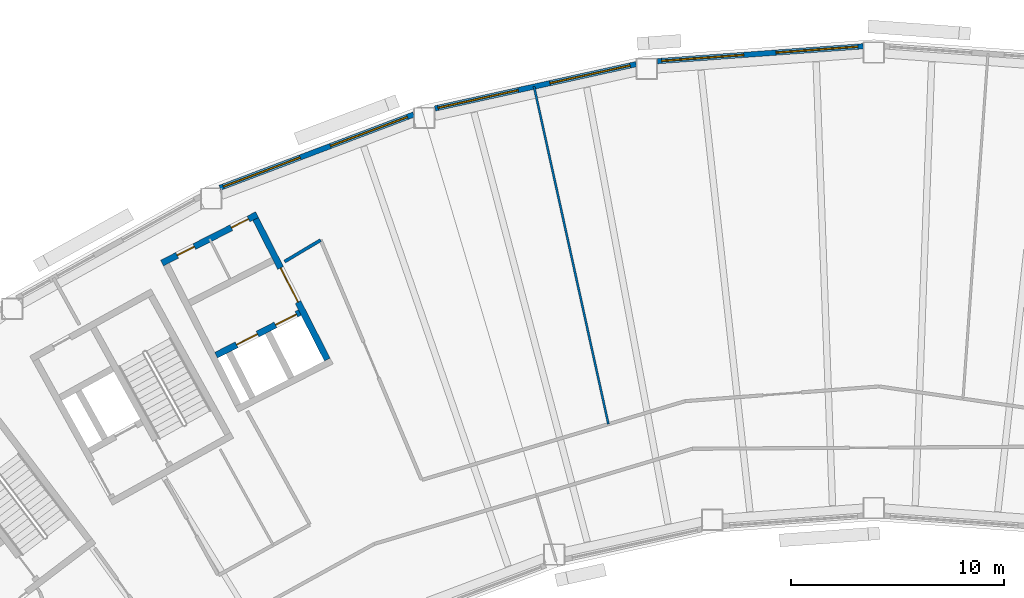
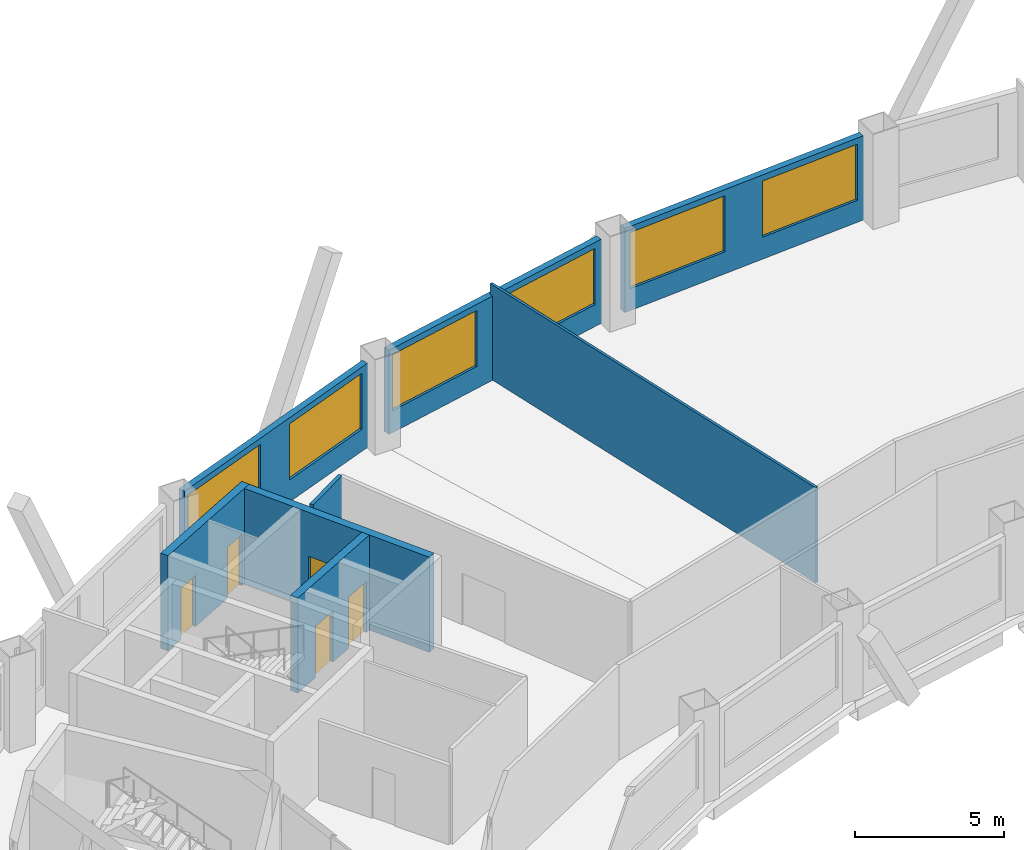
# One storey, part 5 of 11: 8 walls, 6 windows, 5 doors, 11 openings.
"""IFC4 building model written with IfcOpenShell, lengths in metres."""

import ifcopenshell
import ifcopenshell.guid

model = None  # the IFC model being written
_history = None  # IfcOwnerHistory: only IFC2X3 demands one
_inside = {}  # id of a spatial element -> (the spatial element, [elements in it])
_under = {}  # id of a project, library or spatial element -> (it, [spatial elements below it])
_declared = {}  # id of a project -> (the project, [libraries it declares])
_typed = {}  # id of a type object -> (the type object, [elements of that type])
_made_of = {}  # id of a material, layer set ... -> (it, [elements and type objects made of it])


def new_model(schema):
    """Start an empty IFC model of exactly this schema.

    Asked for "IFC4X3", IfcOpenShell would pick the latest addendum, in which some entities
    have other attributes; the version numbers below select the first issue.
    IFC2X3 requires an IfcOwnerHistory on every rooted entity: one is made here for all.
    """
    global model, _history
    if schema == "IFC4X3":
        model = ifcopenshell.file(schema_version=(4, 3, 0, 0))
    else:
        model = ifcopenshell.file(schema=schema)
    _inside.clear()
    _under.clear()
    _declared.clear()
    _typed.clear()
    _made_of.clear()
    _history = None
    if model.schema == "IFC2X3":
        org = make("IfcOrganization", Name="unknown")
        user = make(
            "IfcPersonAndOrganization",
            ThePerson=make("IfcPerson", FamilyName="unknown"),
            TheOrganization=org,
        )
        app = make(
            "IfcApplication",
            ApplicationDeveloper=org,
            Version="unknown",
            ApplicationFullName="unknown",
            ApplicationIdentifier="unknown",
        )
        _history = make(
            "IfcOwnerHistory",
            OwningUser=user,
            OwningApplication=app,
            ChangeAction="ADDED",
            CreationDate=0,
        )
    return model


def make(cls, **values):
    """One entity of the class cls with the attributes given. An attribute that is None is left unset."""
    return model.create_entity(
        cls, **{name: value for name, value in values.items() if value is not None}
    )


def rooted(cls, **values):
    """An entity with a GlobalId (a new one), such as an element, a storey or a relation."""
    return make(cls, GlobalId=ifcopenshell.guid.new(), OwnerHistory=_history, **values)


def si_unit(unit_type, name, prefix=None):
    """IfcSIUnit, for example si_unit("LENGTHUNIT", "METRE", prefix="MILLI")."""
    return make("IfcSIUnit", UnitType=unit_type, Prefix=prefix, Name=name)


def assignment(units):
    """IfcUnitAssignment: the units of a project."""
    return None if units is None else make("IfcUnitAssignment", Units=units)


def point(xyz):
    """IfcCartesianPoint."""
    return None if xyz is None else make("IfcCartesianPoint", Coordinates=xyz)


def direction(xyz):
    """IfcDirection."""
    return None if xyz is None else make("IfcDirection", DirectionRatios=xyz)


def frame(location, z_axis=None, x_axis=None):
    """IfcAxis2Placement3D, a coordinate frame: its origin and axes. An axis left out is left unset."""
    return make(
        "IfcAxis2Placement3D",
        Location=point(location),
        Axis=direction(z_axis),
        RefDirection=direction(x_axis),
    )


def frame_2d(location, x_axis=None):
    """IfcAxis2Placement2D, a coordinate frame in the plane: its origin and x axis."""
    return make(
        "IfcAxis2Placement2D", Location=point(location), RefDirection=direction(x_axis)
    )


def origin():
    """The frame at (0, 0, 0) with its axes left unset."""
    return frame((0.0, 0.0, 0.0))


def place(relative_to, where):
    """IfcLocalPlacement: puts the frame where relative to a parent placement (None: the world)."""
    return make(
        "IfcLocalPlacement", PlacementRelTo=relative_to, RelativePlacement=where
    )


def context(
    kind, dimensions, precision=None, world=None, true_north=None, identifier=None
):
    """IfcGeometricRepresentationContext, for example the 3D "Model" context."""
    return make(
        "IfcGeometricRepresentationContext",
        ContextIdentifier=identifier,
        ContextType=kind,
        CoordinateSpaceDimension=dimensions,
        Precision=precision,
        WorldCoordinateSystem=world,
        TrueNorth=true_north,
    )


def subcontext(parent, identifier, kind, view, scale=None):
    """IfcGeometricRepresentationSubContext, for example "Body" below "Model"."""
    return make(
        "IfcGeometricRepresentationSubContext",
        ContextIdentifier=identifier,
        ContextType=kind,
        ParentContext=parent,
        TargetScale=scale,
        TargetView=view,
    )


def project(units=None, contexts=None):
    """IfcProject with its units and contexts."""
    return rooted(
        "IfcProject",
        Name="project",
        RepresentationContexts=contexts,
        UnitsInContext=assignment(units),
    )


def spatial(cls, under=None, at=None, **own):
    """A site, building, storey or space (cls), placed at a placement, below another one or the project."""
    s = rooted(cls, ObjectPlacement=at, **own)
    if under is not None:
        _under.setdefault(under.id(), (under, []))[1].append(s)
    return s


def profile(cls, at=None, kind="AREA", **sizes):
    """A parametric profile (cls). Its sizes go by their IFC names, for example OverallWidth=200.0."""
    return make(cls, ProfileType=kind, Position=at, **sizes)


def rectangle(**sizes):
    """IfcRectangleProfileDef."""
    return profile("IfcRectangleProfileDef", **sizes)


def extrude(swept, where, along, depth):
    """IfcExtrudedAreaSolid: the profile swept, set in the frame where, extruded along a direction by depth."""
    return make(
        "IfcExtrudedAreaSolid",
        SweptArea=swept,
        Position=where,
        ExtrudedDirection=direction(along),
        Depth=depth,
    )


def shape(context_of_items, identifier, shape_type, items):
    """IfcShapeRepresentation: the items that make up one representation, for example the "Body"."""
    return make(
        "IfcShapeRepresentation",
        ContextOfItems=context_of_items,
        RepresentationIdentifier=identifier,
        RepresentationType=shape_type,
        Items=items,
    )


def material(Name=None, Category=None):
    """IfcMaterial."""
    return make("IfcMaterial", Name=Name, Category=Category)


def layer(
    of_material, thickness, ventilated=None, Name=None, Category=None, Priority=None
):
    """IfcMaterialLayer: one layer of a wall or slab, of a material (None: an air gap)."""
    return make(
        "IfcMaterialLayer",
        Material=of_material,
        LayerThickness=thickness,
        IsVentilated=ventilated,
        Name=Name,
        Category=Category,
        Priority=Priority,
    )


def layer_set(layers, Name=None):
    """IfcMaterialLayerSet."""
    return make("IfcMaterialLayerSet", MaterialLayers=layers, LayerSetName=Name)


def made_of(thing, what):
    """Note that an element or type object is made of a material, layer set ...; save() writes the relation."""
    if what is not None:
        _made_of.setdefault(what.id(), (what, []))[1].append(thing)
    return thing


def type_object(cls, material=None, **own):
    """A type object (cls), such as IfcWallType, which elements share."""
    return made_of(rooted(cls, **own), material)


def element(
    cls,
    number,
    at=None,
    inside=None,
    cuts=None,
    type_object=None,
    material=None,
    context=None,
    identifier="Body",
    shape_type=None,
    held_by="IfcProductDefinitionShape",
    body=None,
    shapes=None,
    **own,
):
    """One element of the class cls, such as IfcWall. Its Tag is "e" and its number.

    at: its placement. inside: the storey or other place that contains it. cuts: it is an
    opening in that element (IfcRelVoidsElement). A single representation is given by context,
    identifier, shape_type and body (its items); several are given by shapes. held_by: the class
    of the entity that holds the representations. save() writes the other relations.
    """
    e = rooted(cls, Tag="e%d" % number, ObjectPlacement=at, **own)
    if body is not None:
        shapes = [shape(context, identifier, shape_type, body)]
    if shapes is not None:
        e.Representation = make(held_by, Representations=shapes)
    if inside is not None:
        _inside.setdefault(inside.id(), (inside, []))[1].append(e)
    if cuts is not None:
        rooted(
            "IfcRelVoidsElement", RelatingBuildingElement=cuts, RelatedOpeningElement=e
        )
    if type_object is not None:
        _typed.setdefault(type_object.id(), (type_object, []))[1].append(e)
    return made_of(e, material)


def fill(opening, filler):
    """IfcRelFillsElement: the door or window that sits in an opening."""
    return rooted(
        "IfcRelFillsElement",
        RelatingOpeningElement=opening,
        RelatedBuildingElement=filler,
    )


def aggregate(whole, parts):
    """IfcRelAggregates: a whole, such as a stair, and the parts it consists of."""
    return rooted("IfcRelAggregates", RelatingObject=whole, RelatedObjects=parts)


def save(model, path):
    """Write the relations noted so far, then the file.

    IfcRelAggregates (storeys below a building ...), IfcRelContainedInSpatialStructure (elements
    in a storey), IfcRelDefinesByType, IfcRelAssociatesMaterial and IfcRelDeclares: one each for
    every whole, place, type object, material and project.
    """
    for whole, parts in _under.values():
        aggregate(whole, parts)
    for where, things in _inside.values():
        rooted(
            "IfcRelContainedInSpatialStructure",
            RelatedElements=things,
            RelatingStructure=where,
        )
    for kind, things in _typed.values():
        rooted("IfcRelDefinesByType", RelatedObjects=things, RelatingType=kind)
    for what, things in _made_of.values():
        rooted("IfcRelAssociatesMaterial", RelatedObjects=things, RelatingMaterial=what)
    for by, libraries in _declared.values():
        rooted("IfcRelDeclares", RelatingContext=by, RelatedDefinitions=libraries)
    model.write(path)


model = new_model("IFC4")

# Units and contexts
model_context = context("Model", 3, precision=1e-05, world=origin(), true_north=direction((0.0, 1.0)))
body_context = subcontext(model_context, "Body", "Model", "MODEL_VIEW")
ifc_project = project(units=[si_unit("LENGTHUNIT", "METRE"), si_unit("AREAUNIT", "SQUARE_METRE"), si_unit("VOLUMEUNIT", "CUBIC_METRE"), si_unit("PLANEANGLEUNIT", "RADIAN"), si_unit("MASSUNIT", "GRAM", prefix="KILO")], contexts=[model_context])

# Site, building, storey
site_placement = place(None, origin())
site = spatial("IfcSite", under=ifc_project, at=site_placement, CompositionType="ELEMENT")
building_placement = place(site_placement, origin())
building = spatial("IfcBuilding", under=site, at=building_placement, Name="Tuul Gate Civic Tower", CompositionType="ELEMENT")
storey_placement = place(building_placement, frame((0.0, 0.0, 146.60009765625)))
storey = spatial("IfcBuildingStorey", under=building, at=storey_placement, Name="Level 33", CompositionType="ELEMENT", Elevation=146.60009765625)

# Wall
ifc_material_1 = material(Name="Gypsum board partition")
ifc_layer_1 = layer(ifc_material_1, 0.14990234375)
ifc_layer_set_1 = layer_set([ifc_layer_1], Name="Gypsum board partition")
wall_type_1 = type_object("IfcWallType", Name="Corridor wall P150", PredefinedType="PARTITIONING", material=ifc_layer_set_1)
wall_1_placement = place(storey_placement, frame((-22.254638671875, -0.5732421875, 0.0), z_axis=(0.0, 0.0, 1.0), x_axis=(0.859073729724, 0.511851860306, 0.0)))
element("IfcWall", 1, at=wall_1_placement, inside=storey, type_object=wall_type_1, Name="p023", PredefinedType="PARTITIONING", context=body_context, shape_type="SweptSolid", body=[
    extrude(rectangle(XDim=1.970947265625, YDim=0.14990234375, at=frame_2d((0.9853515625, 0.0))), origin(), (0.0, 0.0, 1.0), 3.89990234375),
])

# Wall, openings, windows
ifc_material_2 = material(Name="Precast concrete C40/50", Category="concrete")
ifc_layer_2 = layer(ifc_material_2, 0.25)
ifc_layer_set_2 = layer_set([ifc_layer_2], Name="Precast concrete C40/50")
wall_type_2 = type_object("IfcWallType", Name="External wall", PredefinedType="STANDARD", material=ifc_layer_set_2)
wall_2_placement = place(storey_placement, frame((4.8740234375, 9.521484375, 0.0), z_axis=(0.0, 0.0, 1.0), x_axis=(-0.997386456692, -0.07225133914, 0.0)))
wall_2 = element("IfcWall", 2, at=wall_2_placement, inside=storey, type_object=wall_type_2, Name="External wall", PredefinedType="STANDARD", context=body_context, shape_type="SweptSolid", body=[
    extrude(rectangle(XDim=9.67431640625, YDim=0.25, at=frame_2d((4.837158203125, 0.0))), origin(), (0.0, 0.0, 1.0), 3.449951171875),
])
opening_1_placement = place(wall_2_placement, frame((0.250244140625, 0.0, 0.89990234375)))
opening_1 = element("IfcOpeningElement", 3, at=opening_1_placement, cuts=wall_2, Name="Opening W22", PredefinedType="OPENING", context=body_context, shape_type="SweptSolid", body=[
    extrude(rectangle(XDim=3.85009765625, YDim=2.300048828125, at=frame_2d((1.925048828125, 1.14990234375))), frame((0.0, 0.135009765625, 0.0), z_axis=(0.0, -1.0, 0.0), x_axis=(1.0, 0.0, 0.0)), (0.0, 0.0, 1.0), 0.27001953125),
])
opening_2_placement = place(wall_2_placement, frame((5.62109375, 0.0, 0.89990234375)))
opening_2 = element("IfcOpeningElement", 4, at=opening_2_placement, cuts=wall_2, Name="Opening W22", PredefinedType="OPENING", context=body_context, shape_type="SweptSolid", body=[
    extrude(rectangle(XDim=3.85009765625, YDim=2.300048828125, at=frame_2d((1.925048828125, 1.14990234375))), frame((0.0, 0.135009765625, 0.0), z_axis=(0.0, -1.0, 0.0), x_axis=(1.0, 0.0, 0.0)), (0.0, 0.0, 1.0), 0.27001953125),
])
ifc_material_3 = material(Name="Glass", Category="glass")
window_type = type_object("IfcWindowType", Name="Window W22 3850 x 2300", PartitioningType="SINGLE_PANEL", PredefinedType="WINDOW", material=ifc_material_3)
window_1_placement = place(opening_1_placement, origin())
window_1 = element("IfcWindow", 5, at=window_1_placement, inside=storey, type_object=window_type, Name="Window", OverallHeight=2.300048828125, OverallWidth=3.85009765625, PartitioningType="SINGLE_PANEL", PredefinedType="WINDOW", context=body_context, shape_type="SweptSolid", body=[
    extrude(rectangle(XDim=3.85009765625, YDim=2.300048828125, at=frame_2d((1.925048828125, 1.14990234375))), frame((0.0, 0.030029296875, 0.0), z_axis=(0.0, -1.0, 0.0), x_axis=(1.0, 0.0, 0.0)), (0.0, 0.0, 1.0), 0.06005859375),
])
fill(opening_1, window_1)
window_2_placement = place(opening_2_placement, origin())
window_2 = element("IfcWindow", 6, at=window_2_placement, inside=storey, type_object=window_type, Name="Window", OverallHeight=2.300048828125, OverallWidth=3.85009765625, PartitioningType="SINGLE_PANEL", PredefinedType="WINDOW", context=body_context, shape_type="SweptSolid", body=[
    extrude(rectangle(XDim=3.85009765625, YDim=2.300048828125, at=frame_2d((1.925048828125, 1.14990234375))), frame((0.0, 0.030029296875, 0.0), z_axis=(0.0, -1.0, 0.0), x_axis=(1.0, 0.0, 0.0)), (0.0, 0.0, 1.0), 0.06005859375),
])
fill(opening_2, window_2)

wall_3_placement = place(storey_placement, frame((-5.77490234375, 8.68310546875, 0.0), z_axis=(0.0, 0.0, 1.0), x_axis=(-0.976568733391, -0.215205736364, 0.0)))
wall_3 = element("IfcWall", 7, at=wall_3_placement, inside=storey, type_object=wall_type_2, Name="External wall", PredefinedType="STANDARD", context=body_context, shape_type="SweptSolid", body=[
    extrude(rectangle(XDim=9.654296875, YDim=0.25, at=frame_2d((4.8271484375, 0.0))), origin(), (0.0, 0.0, 1.0), 3.449951171875),
])
opening_3_placement = place(wall_3_placement, frame((0.28759765625, 0.0, 0.89990234375)))
opening_3 = element("IfcOpeningElement", 8, at=opening_3_placement, cuts=wall_3, Name="Opening W22", PredefinedType="OPENING", context=body_context, shape_type="SweptSolid", body=[
    extrude(rectangle(XDim=3.85009765625, YDim=2.300048828125, at=frame_2d((1.925048828125, 1.14990234375))), frame((0.0, 0.135009765625, 0.0), z_axis=(0.0, -1.0, 0.0), x_axis=(1.0, 0.0, 0.0)), (0.0, 0.0, 1.0), 0.27001953125),
])
opening_4_placement = place(wall_3_placement, frame((5.6591796875, 0.0, 0.89990234375)))
opening_4 = element("IfcOpeningElement", 9, at=opening_4_placement, cuts=wall_3, Name="Opening W22", PredefinedType="OPENING", context=body_context, shape_type="SweptSolid", body=[
    extrude(rectangle(XDim=3.85009765625, YDim=2.300048828125, at=frame_2d((1.925048828125, 1.14990234375))), frame((0.0, 0.135009765625, 0.0), z_axis=(0.0, -1.0, 0.0), x_axis=(1.0, 0.0, 0.0)), (0.0, 0.0, 1.0), 0.27001953125),
])
window_3_placement = place(opening_3_placement, origin())
window_3 = element("IfcWindow", 10, at=window_3_placement, inside=storey, type_object=window_type, Name="Window", OverallHeight=2.300048828125, OverallWidth=3.85009765625, PartitioningType="SINGLE_PANEL", PredefinedType="WINDOW", context=body_context, shape_type="SweptSolid", body=[
    extrude(rectangle(XDim=3.85009765625, YDim=2.300048828125, at=frame_2d((1.925048828125, 1.14990234375))), frame((0.0, 0.030029296875, 0.0), z_axis=(0.0, -1.0, 0.0), x_axis=(1.0, 0.0, 0.0)), (0.0, 0.0, 1.0), 0.06005859375),
])
fill(opening_3, window_3)
window_4_placement = place(opening_4_placement, origin())
window_4 = element("IfcWindow", 11, at=window_4_placement, inside=storey, type_object=window_type, Name="Window", OverallHeight=2.300048828125, OverallWidth=3.85009765625, PartitioningType="SINGLE_PANEL", PredefinedType="WINDOW", context=body_context, shape_type="SweptSolid", body=[
    extrude(rectangle(XDim=3.85009765625, YDim=2.300048828125, at=frame_2d((1.925048828125, 1.14990234375))), frame((0.0, 0.030029296875, 0.0), z_axis=(0.0, -1.0, 0.0), x_axis=(1.0, 0.0, 0.0)), (0.0, 0.0, 1.0), 0.06005859375),
])
fill(opening_4, window_4)

wall_4_placement = place(storey_placement, frame((-16.202880859375, 6.320556640625, 0.0), z_axis=(0.0, 0.0, 1.0), x_axis=(-0.935351451724, -0.353719750307, 0.0)))
wall_4 = element("IfcWall", 12, at=wall_4_placement, inside=storey, type_object=wall_type_2, Name="External wall", PredefinedType="STANDARD", context=body_context, shape_type="SweptSolid", body=[
    extrude(rectangle(XDim=9.712646484375, YDim=0.25, at=frame_2d((4.8564453125, 0.0))), origin(), (0.0, 0.0, 1.0), 3.449951171875),
])
opening_5_placement = place(wall_4_placement, frame((0.315673828125, 0.0, 0.89990234375)))
opening_5 = element("IfcOpeningElement", 13, at=opening_5_placement, cuts=wall_4, Name="Opening W22", PredefinedType="OPENING", context=body_context, shape_type="SweptSolid", body=[
    extrude(rectangle(XDim=3.85009765625, YDim=2.300048828125, at=frame_2d((1.925048828125, 1.14990234375))), frame((0.0, 0.135009765625, 0.0), z_axis=(0.0, -1.0, 0.0), x_axis=(1.0, 0.0, 0.0)), (0.0, 0.0, 1.0), 0.27001953125),
])
opening_6_placement = place(wall_4_placement, frame((5.68701171875, 0.0, 0.89990234375)))
opening_6 = element("IfcOpeningElement", 14, at=opening_6_placement, cuts=wall_4, Name="Opening W22", PredefinedType="OPENING", context=body_context, shape_type="SweptSolid", body=[
    extrude(rectangle(XDim=3.85009765625, YDim=2.300048828125, at=frame_2d((1.925048828125, 1.14990234375))), frame((0.0, 0.135009765625, 0.0), z_axis=(0.0, -1.0, 0.0), x_axis=(1.0, 0.0, 0.0)), (0.0, 0.0, 1.0), 0.27001953125),
])
window_5_placement = place(opening_5_placement, origin())
window_5 = element("IfcWindow", 15, at=window_5_placement, inside=storey, type_object=window_type, Name="Window", OverallHeight=2.300048828125, OverallWidth=3.85009765625, PartitioningType="SINGLE_PANEL", PredefinedType="WINDOW", context=body_context, shape_type="SweptSolid", body=[
    extrude(rectangle(XDim=3.85009765625, YDim=2.300048828125, at=frame_2d((1.925048828125, 1.14990234375))), frame((0.0, 0.030029296875, 0.0), z_axis=(0.0, -1.0, 0.0), x_axis=(1.0, 0.0, 0.0)), (0.0, 0.0, 1.0), 0.06005859375),
])
fill(opening_5, window_5)
window_6_placement = place(opening_6_placement, origin())
window_6 = element("IfcWindow", 16, at=window_6_placement, inside=storey, type_object=window_type, Name="Window", OverallHeight=2.300048828125, OverallWidth=3.85009765625, PartitioningType="SINGLE_PANEL", PredefinedType="WINDOW", context=body_context, shape_type="SweptSolid", body=[
    extrude(rectangle(XDim=3.85009765625, YDim=2.300048828125, at=frame_2d((1.925048828125, 1.14990234375))), frame((0.0, 0.030029296875, 0.0), z_axis=(0.0, -1.0, 0.0), x_axis=(1.0, 0.0, 0.0)), (0.0, 0.0, 1.0), 0.06005859375),
])
fill(opening_6, window_6)

# Wall, openings, doors
ifc_material_4 = material(Name="Concrete C40/50", Category="concrete")
ifc_layer_3 = layer(ifc_material_4, 0.300048828125)
ifc_layer_set_3 = layer_set([ifc_layer_3], Name="Concrete C40/50")
wall_type_3 = type_object("IfcWallType", Name="Lift shaft wall C40/50", PredefinedType="STANDARD", material=ifc_layer_set_3)
wall_5_placement = place(storey_placement, frame((-21.542236328125, -2.962890625, 0.0), z_axis=(0.0, 0.0, 1.0), x_axis=(-0.891005618941, -0.453992276384, 0.0)))
wall_5 = element("IfcWall", 17, at=wall_5_placement, inside=storey, type_object=wall_type_3, Name="Shaft wall", PredefinedType="STANDARD", context=body_context, shape_type="SweptSolid", body=[
    extrude(rectangle(XDim=4.39990234375, YDim=0.300048828125, at=frame_2d((2.199951171875, 0.0))), origin(), (0.0, 0.0, 1.0), 3.89990234375),
])
opening_7_placement = place(wall_5_placement, frame((0.175048828125, 0.0, 0.0)))
opening_7 = element("IfcOpeningElement", 18, at=opening_7_placement, cuts=wall_5, Name="Opening LD-M1", PredefinedType="OPENING", context=body_context, shape_type="SweptSolid", body=[
    extrude(rectangle(XDim=1.10009765625, YDim=2.10009765625, at=frame_2d((0.550048828125, 1.050048828125))), frame((0.0, 0.16015625, 0.0), z_axis=(0.0, -1.0, 0.0), x_axis=(1.0, 0.0, 0.0)), (0.0, 0.0, 1.0), 0.320068359375),
])
opening_8_placement = place(wall_5_placement, frame((2.22509765625, 0.0, 0.0)))
opening_8 = element("IfcOpeningElement", 19, at=opening_8_placement, cuts=wall_5, Name="Opening LD-M2", PredefinedType="OPENING", context=body_context, shape_type="SweptSolid", body=[
    extrude(rectangle(XDim=1.10009765625, YDim=2.10009765625, at=frame_2d((0.550048828125, 1.050048828125))), frame((0.0, 0.16015625, 0.0), z_axis=(0.0, -1.0, 0.0), x_axis=(1.0, 0.0, 0.0)), (0.0, 0.0, 1.0), 0.320068359375),
])
ifc_material_5 = material(Name="Stainless steel", Category="steel")
door_type_1 = type_object("IfcDoorType", Name="Landing door", OperationType="DOUBLE_DOOR_SLIDING", PredefinedType="DOOR", material=ifc_material_5)
door_1_placement = place(opening_7_placement, origin())
door_1 = element("IfcDoor", 20, at=door_1_placement, inside=storey, type_object=door_type_1, Name="Mid-rise lift M1 landing door", OperationType="DOUBLE_DOOR_SLIDING", OverallHeight=2.10009765625, OverallWidth=1.10009765625, PredefinedType="DOOR", context=body_context, shape_type="SweptSolid", body=[
    extrude(rectangle(XDim=1.10009765625, YDim=2.10009765625, at=frame_2d((0.550048828125, 1.050048828125))), frame((0.0, 0.02490234375, 0.0), z_axis=(0.0, -1.0, 0.0), x_axis=(1.0, 0.0, 0.0)), (0.0, 0.0, 1.0), 0.050048828125),
])
fill(opening_7, door_1)
door_2_placement = place(opening_8_placement, origin())
door_2 = element("IfcDoor", 21, at=door_2_placement, inside=storey, type_object=door_type_1, Name="Mid-rise lift M2 landing door", OperationType="DOUBLE_DOOR_SLIDING", OverallHeight=2.10009765625, OverallWidth=1.10009765625, PredefinedType="DOOR", context=body_context, shape_type="SweptSolid", body=[
    extrude(rectangle(XDim=1.10009765625, YDim=2.10009765625, at=frame_2d((0.550048828125, 1.050048828125))), frame((0.0, 0.02490234375, 0.0), z_axis=(0.0, -1.0, 0.0), x_axis=(1.0, 0.0, 0.0)), (0.0, 0.0, 1.0), 0.050048828125),
])
fill(opening_8, door_2)

wall_6_placement = place(storey_placement, frame((-23.544921875, 1.62841796875, 0.0), z_axis=(0.0, 0.0, 1.0), x_axis=(-0.891002976909, -0.453997461601, 0.0)))
wall_6 = element("IfcWall", 22, at=wall_6_placement, inside=storey, type_object=wall_type_3, Name="Shaft wall", PredefinedType="STANDARD", context=body_context, shape_type="SweptSolid", body=[
    extrude(rectangle(XDim=5.0, YDim=0.300048828125, at=frame_2d((2.5, 0.0))), origin(), (0.0, 0.0, 1.0), 3.89990234375),
])
opening_9_placement = place(wall_6_placement, frame((0.449951171875, 0.0, 0.0)))
opening_9 = element("IfcOpeningElement", 23, at=opening_9_placement, cuts=wall_6, Name="Opening L-D16", PredefinedType="OPENING", context=body_context, shape_type="SweptSolid", body=[
    extrude(rectangle(XDim=0.89990234375, YDim=2.10009765625, at=frame_2d((0.449951171875, 1.050048828125))), frame((0.0, 0.16015625, 0.0), z_axis=(0.0, -1.0, 0.0), x_axis=(1.0, 0.0, 0.0)), (0.0, 0.0, 1.0), 0.320068359375),
])
opening_10_placement = place(wall_6_placement, frame((3.300048828125, 0.0, 0.0)))
opening_10 = element("IfcOpeningElement", 24, at=opening_10_placement, cuts=wall_6, Name="Opening L-D17", PredefinedType="OPENING", context=body_context, shape_type="SweptSolid", body=[
    extrude(rectangle(XDim=0.89990234375, YDim=2.10009765625, at=frame_2d((0.449951171875, 1.050048828125))), frame((0.0, 0.16015625, 0.0), z_axis=(0.0, -1.0, 0.0), x_axis=(1.0, 0.0, 0.0)), (0.0, 0.0, 1.0), 0.320068359375),
])
ifc_material_6 = material(Name="Timber door leaf", Category="wood")
door_type_2 = type_object("IfcDoorType", Name="Door D09", OperationType="NOTDEFINED", PredefinedType="DOOR", material=ifc_material_6)
door_3_placement = place(opening_9_placement, origin())
door_3 = element("IfcDoor", 25, at=door_3_placement, inside=storey, type_object=door_type_2, Name="Door L-D16", OperationType="SINGLE_SWING_RIGHT", OverallHeight=2.10009765625, OverallWidth=0.89990234375, PredefinedType="DOOR", context=body_context, shape_type="SweptSolid", body=[
    extrude(rectangle(XDim=0.89990234375, YDim=2.10009765625, at=frame_2d((0.449951171875, 1.050048828125))), frame((0.0, 0.02490234375, 0.0), z_axis=(0.0, -1.0, 0.0), x_axis=(1.0, 0.0, 0.0)), (0.0, 0.0, 1.0), 0.050048828125),
])
fill(opening_9, door_3)
door_4_placement = place(opening_10_placement, origin())
door_4 = element("IfcDoor", 26, at=door_4_placement, inside=storey, type_object=door_type_2, Name="Door L-D17", OperationType="SINGLE_SWING_LEFT", OverallHeight=2.10009765625, OverallWidth=0.89990234375, PredefinedType="DOOR", context=body_context, shape_type="SweptSolid", body=[
    extrude(rectangle(XDim=0.89990234375, YDim=2.10009765625, at=frame_2d((0.449951171875, 1.050048828125))), frame((0.0, 0.02490234375, 0.0), z_axis=(0.0, -1.0, 0.0), x_axis=(1.0, 0.0, 0.0)), (0.0, 0.0, 1.0), 0.050048828125),
])
fill(opening_10, door_4)

# Wall, opening, door
wall_7_placement = place(storey_placement, frame((-20.2509765625, -5.166748046875, 0.0), z_axis=(0.0, 0.0, 1.0), x_axis=(-0.45401029361, 0.89099643843, 0.0)))
wall_7 = element("IfcWall", 27, at=wall_7_placement, inside=storey, type_object=wall_type_3, Name="Shaft wall", PredefinedType="STANDARD", context=body_context, shape_type="SweptSolid", body=[
    extrude(rectangle(XDim=7.39990234375, YDim=0.300048828125, at=frame_2d((3.699951171875, 0.0))), origin(), (0.0, 0.0, 1.0), 3.89990234375),
])
opening_11_placement = place(wall_7_placement, frame((3.02490234375, 0.0, 0.0)))
opening_11 = element("IfcOpeningElement", 28, at=opening_11_placement, cuts=wall_7, Name="Opening LB-W3-LOBBY-1", PredefinedType="OPENING", context=body_context, shape_type="SweptSolid", body=[
    extrude(rectangle(XDim=1.800048828125, YDim=2.10009765625, at=frame_2d((0.89990234375, 1.050048828125))), frame((0.0, 0.16015625, 0.0), z_axis=(0.0, -1.0, 0.0), x_axis=(1.0, 0.0, 0.0)), (0.0, 0.0, 1.0), 0.320068359375),
])
ifc_material_7 = material(Name="Steel", Category="steel")
door_type_3 = type_object("IfcDoorType", Name="Lobby door", OperationType="DOUBLE_DOOR_SINGLE_SWING", PredefinedType="DOOR", material=ifc_material_7)
door_5_placement = place(opening_11_placement, origin())
door_5 = element("IfcDoor", 29, at=door_5_placement, inside=storey, type_object=door_type_3, Name="Lobby door W3-LOBBY", OperationType="DOUBLE_DOOR_SINGLE_SWING", OverallHeight=2.10009765625, OverallWidth=1.800048828125, PredefinedType="DOOR", context=body_context, shape_type="SweptSolid", body=[
    extrude(rectangle(XDim=1.800048828125, YDim=2.10009765625, at=frame_2d((0.89990234375, 1.050048828125))), frame((0.0, 0.02490234375, 0.0), z_axis=(0.0, -1.0, 0.0), x_axis=(1.0, 0.0, 0.0)), (0.0, 0.0, 1.0), 0.050048828125),
])
fill(opening_11, door_5)

# Wall
ifc_material_8 = material(Name="Gypsum board partition")
ifc_layer_4 = layer(ifc_material_8, 0.10009765625)
ifc_layer_set_4 = layer_set([ifc_layer_4], Name="Gypsum board partition")
wall_type_4 = type_object("IfcWallType", Name="Partition P100", PredefinedType="PARTITIONING", material=ifc_layer_set_4)
wall_8_placement = place(storey_placement, frame((-10.56005859375, 7.6337890625, 0.0), z_axis=(0.0, 0.0, 1.0), x_axis=(0.215215516237, -0.976566578156, 0.0)))
element("IfcWall", 30, at=wall_8_placement, inside=storey, type_object=wall_type_4, Name="p018", PredefinedType="PARTITIONING", context=body_context, shape_type="SweptSolid", body=[
    extrude(rectangle(XDim=16.207275390625, YDim=0.10009765625, at=frame_2d((8.103515625, 0.0))), origin(), (0.0, 0.0, 1.0), 3.89990234375),
])

save(model, "model.ifc")
